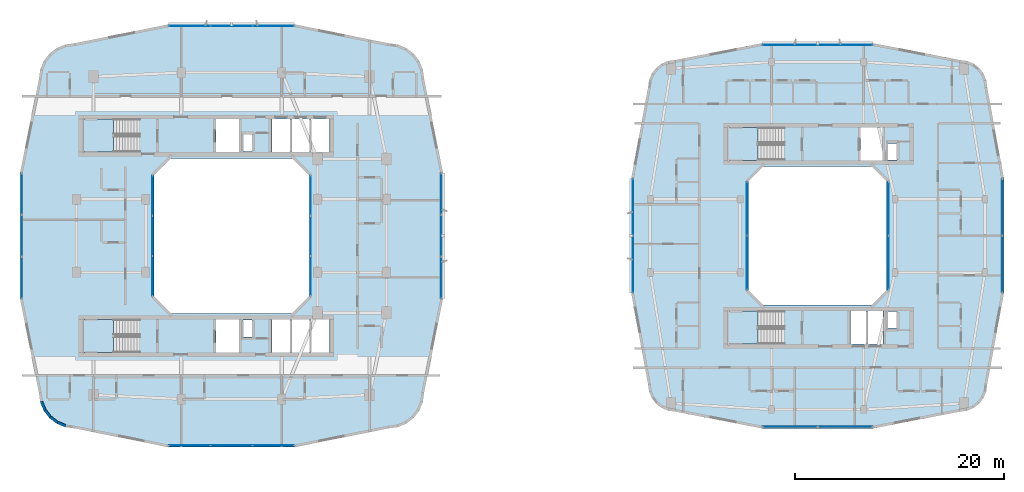
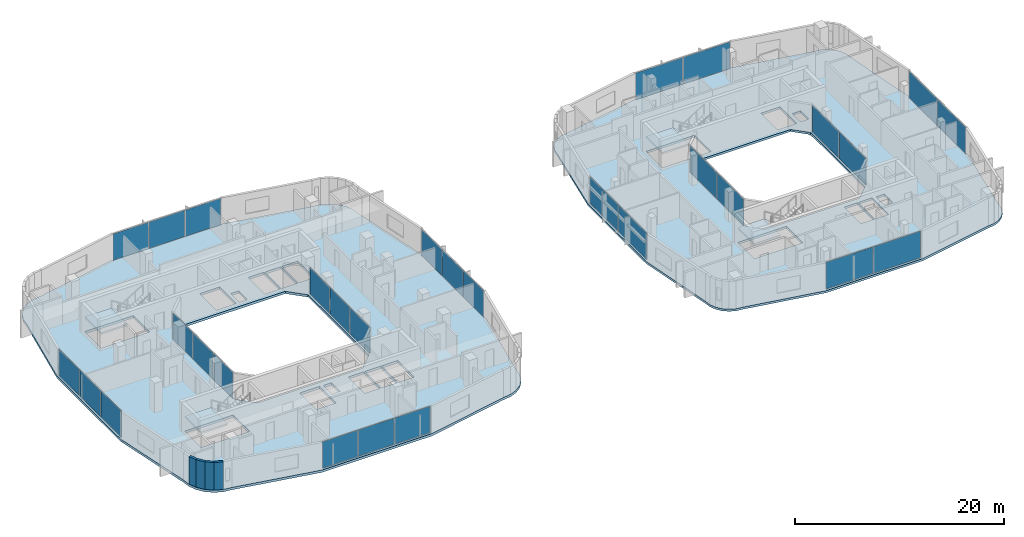
# One storey, part 11 of 26: 30 plates, 6 slabs, 4 walls, 16 elements without a shape of their own.
"""IFC4 building model written with IfcOpenShell, lengths in metres."""

from ifc_helpers import new_model, si_unit, derived_unit, direction, frame, frame_2d, origin, origin_2d, place, context, subcontext, project, spatial, polyline, rectangle, outline, extrude, material, layer, layer_set, type_object, element, aggregate, save


model = new_model("IFC4")

# Units and contexts
model_context = context("Model", 3, precision=1e-05, world=origin(), true_north=direction((0.0, 1.0)))
body_context = subcontext(model_context, "Body", "Model", "MODEL_VIEW")
ifc_project = project(units=[si_unit("LENGTHUNIT", "METRE"), si_unit("AREAUNIT", "SQUARE_METRE"), si_unit("VOLUMEUNIT", "CUBIC_METRE"), si_unit("PLANEANGLEUNIT", "RADIAN"), si_unit("MASSUNIT", "GRAM", prefix="KILO"), derived_unit("THERMALTRANSMITTANCEUNIT", [(si_unit("POWERUNIT", "WATT"), 1), (si_unit("LENGTHUNIT", "METRE"), -2), (si_unit("THERMODYNAMICTEMPERATUREUNIT", "KELVIN"), -1)])], contexts=[model_context])

# Site, building, storey
site_placement = place(None, origin())
site = spatial("IfcSite", under=ifc_project, at=site_placement, CompositionType="ELEMENT")
building_placement = place(site_placement, origin())
building = spatial("IfcBuilding", under=site, at=building_placement, Name="Kivonza Crest Hotel", CompositionType="ELEMENT")
storey_placement = place(building_placement, frame((0.0, 0.0, 98.5)))
storey = spatial("IfcBuildingStorey", under=building, at=storey_placement, Name="L26", CompositionType="ELEMENT", Elevation=98.5)

# Curtain wall, plates
ifc_material_1 = material(Name="Anodised bronze aluminium and low-E double glazing", Category="aluminium")
ifc_layer_1 = layer(ifc_material_1, 0.179931640625)
ifc_layer_set_1 = layer_set([ifc_layer_1], Name="Anodised bronze aluminium and low-E double glazing")
curtain_wall_type_1 = type_object("IfcCurtainWallType", Name="CW-SYS-2", PredefinedType="NOTDEFINED", material=ifc_layer_set_1)
curtain_wall_1_placement = place(storey_placement, origin())
curtain_wall_1 = element("IfcCurtainWall", 1, at=curtain_wall_1_placement, inside=storey, type_object=curtain_wall_type_1, Name="L26 unitised curtain wall CW-T1-L26-08", PredefinedType="NOTDEFINED")
ifc_material_2 = material(Name="Solar-control low-E double glazing", Category="glass")
ifc_layer_2 = layer(ifc_material_2, 0.028076171875)
ifc_layer_set_2 = layer_set([ifc_layer_2], Name="Solar-control low-E double glazing")
plate_type = type_object("IfcPlateType", Name="CW-PNL-28", PredefinedType="CURTAIN_PANEL", material=ifc_layer_set_2)
plate_1_placement = place(storey_placement, frame((17.0029296875, 4.9599609375, 0.06494140625), z_axis=(0.0, 0.0, 1.0), x_axis=(1.0, 0.0, 0.0)))
plate_1 = element("IfcPlate", 2, at=plate_1_placement, type_object=plate_type, Name="CW-2 panel 1.1", PredefinedType="CURTAIN_PANEL", context=body_context, shape_type="SweptSolid", body=[
    extrude(rectangle(XDim=3.915771484375, YDim=0.028076171875, at=origin_2d()), origin(), (0.0, 0.0, 1.0), 3.090087890625),
])
plate_2_placement = place(storey_placement, frame((21.0, 4.9599609375, 0.06494140625), z_axis=(0.0, 0.0, 1.0), x_axis=(1.0, 0.0, 0.0)))
plate_2 = element("IfcPlate", 3, at=plate_2_placement, type_object=plate_type, Name="CW-2 panel 2.1", PredefinedType="CURTAIN_PANEL", context=body_context, shape_type="SweptSolid", body=[
    extrude(rectangle(XDim=3.9482421875, YDim=0.028076171875, at=origin_2d()), origin(), (0.0, 0.0, 1.0), 3.090087890625),
])
plate_3_placement = place(storey_placement, frame((24.9970703125, 4.9599609375, 0.06494140625), z_axis=(0.0, 0.0, 1.0), x_axis=(1.0, 0.0, 0.0)))
plate_3 = element("IfcPlate", 4, at=plate_3_placement, type_object=plate_type, Name="CW-2 panel 3.1", PredefinedType="CURTAIN_PANEL", context=body_context, shape_type="SweptSolid", body=[
    extrude(rectangle(XDim=3.915771484375, YDim=0.028076171875, at=origin_2d()), origin(), (0.0, 0.0, 1.0), 3.090087890625),
])
aggregate(curtain_wall_1, [plate_1, plate_2, plate_3])

curtain_wall_2_placement = place(storey_placement, origin())
curtain_wall_2 = element("IfcCurtainWall", 5, at=curtain_wall_2_placement, inside=storey, type_object=curtain_wall_type_1, Name="L26 unitised curtain wall CW-T1-L26-17", PredefinedType="NOTDEFINED")
plate_4_placement = place(storey_placement, frame((41.0400390625, 21.0029296875, 0.06494140625), z_axis=(0.0, 0.0, 1.0), x_axis=(0.0, 1.0, 0.0)))
plate_4 = element("IfcPlate", 6, at=plate_4_placement, type_object=plate_type, Name="CW-2 panel 1.1", PredefinedType="CURTAIN_PANEL", context=body_context, shape_type="SweptSolid", body=[
    extrude(rectangle(XDim=3.915771484375, YDim=0.028076171875, at=origin_2d()), origin(), (0.0, 0.0, 1.0), 3.090087890625),
])
plate_5_placement = place(storey_placement, frame((41.0400390625, 25.0, 0.06494140625), z_axis=(0.0, 0.0, 1.0), x_axis=(0.0, 1.0, 0.0)))
plate_5 = element("IfcPlate", 7, at=plate_5_placement, type_object=plate_type, Name="CW-2 panel 2.1", PredefinedType="CURTAIN_PANEL", context=body_context, shape_type="SweptSolid", body=[
    extrude(rectangle(XDim=3.9482421875, YDim=0.028076171875, at=origin_2d()), origin(), (0.0, 0.0, 1.0), 3.090087890625),
])
plate_6_placement = place(storey_placement, frame((41.0400390625, 28.9970703125, 0.06494140625), z_axis=(0.0, 0.0, 1.0), x_axis=(0.0, 1.0, 0.0)))
plate_6 = element("IfcPlate", 8, at=plate_6_placement, type_object=plate_type, Name="CW-2 panel 3.1", PredefinedType="CURTAIN_PANEL", context=body_context, shape_type="SweptSolid", body=[
    extrude(rectangle(XDim=3.915771484375, YDim=0.028076171875, at=origin_2d()), origin(), (0.0, 0.0, 1.0), 3.090087890625),
])
aggregate(curtain_wall_2, [plate_4, plate_5, plate_6])

curtain_wall_3_placement = place(storey_placement, origin())
curtain_wall_3 = element("IfcCurtainWall", 9, at=curtain_wall_3_placement, inside=storey, type_object=curtain_wall_type_1, Name="L26 unitised curtain wall CW-T1-L26-26", PredefinedType="NOTDEFINED")
plate_7_placement = place(storey_placement, frame((24.9970703125, 45.0400390625, 0.06494140625), z_axis=(0.0, 0.0, 1.0), x_axis=(-1.0, 0.0, 0.0)))
plate_7 = element("IfcPlate", 10, at=plate_7_placement, type_object=plate_type, Name="CW-2 panel 1.1", PredefinedType="CURTAIN_PANEL", context=body_context, shape_type="SweptSolid", body=[
    extrude(rectangle(XDim=3.915771484375, YDim=0.028076171875, at=origin_2d()), origin(), (0.0, 0.0, 1.0), 3.090087890625),
])
plate_8_placement = place(storey_placement, frame((21.0, 45.0400390625, 0.06494140625), z_axis=(0.0, 0.0, 1.0), x_axis=(-1.0, 0.0, 0.0)))
plate_8 = element("IfcPlate", 11, at=plate_8_placement, type_object=plate_type, Name="CW-2 panel 2.1", PredefinedType="CURTAIN_PANEL", context=body_context, shape_type="SweptSolid", body=[
    extrude(rectangle(XDim=3.9482421875, YDim=0.028076171875, at=origin_2d()), origin(), (0.0, 0.0, 1.0), 3.090087890625),
])
plate_9_placement = place(storey_placement, frame((17.0029296875, 45.0400390625, 0.06494140625), z_axis=(0.0, 0.0, 1.0), x_axis=(-1.0, 0.0, 0.0)))
plate_9 = element("IfcPlate", 12, at=plate_9_placement, type_object=plate_type, Name="CW-2 panel 3.1", PredefinedType="CURTAIN_PANEL", context=body_context, shape_type="SweptSolid", body=[
    extrude(rectangle(XDim=3.915771484375, YDim=0.028076171875, at=origin_2d()), origin(), (0.0, 0.0, 1.0), 3.090087890625),
])
aggregate(curtain_wall_3, [plate_7, plate_8, plate_9])

curtain_wall_4_placement = place(storey_placement, origin())
curtain_wall_4 = element("IfcCurtainWall", 13, at=curtain_wall_4_placement, inside=storey, type_object=curtain_wall_type_1, Name="L26 unitised curtain wall CW-T1-L26-35", PredefinedType="NOTDEFINED")
plate_10_placement = place(storey_placement, frame((0.9599609375, 28.9970703125, 0.06494140625), z_axis=(0.0, 0.0, 1.0), x_axis=(0.0, -1.0, 0.0)))
plate_10 = element("IfcPlate", 14, at=plate_10_placement, type_object=plate_type, Name="CW-2 panel 1.1", PredefinedType="CURTAIN_PANEL", context=body_context, shape_type="SweptSolid", body=[
    extrude(rectangle(XDim=3.915771484375, YDim=0.028076171875, at=origin_2d()), origin(), (0.0, 0.0, 1.0), 3.090087890625),
])
plate_11_placement = place(storey_placement, frame((0.9599609375, 25.0, 0.06494140625), z_axis=(0.0, 0.0, 1.0), x_axis=(0.0, -1.0, 0.0)))
plate_11 = element("IfcPlate", 15, at=plate_11_placement, type_object=plate_type, Name="CW-2 panel 2.1", PredefinedType="CURTAIN_PANEL", context=body_context, shape_type="SweptSolid", body=[
    extrude(rectangle(XDim=3.9482421875, YDim=0.028076171875, at=origin_2d()), origin(), (0.0, 0.0, 1.0), 3.090087890625),
])
plate_12_placement = place(storey_placement, frame((0.9599609375, 21.0029296875, 0.06494140625), z_axis=(0.0, 0.0, 1.0), x_axis=(0.0, -1.0, 0.0)))
plate_12 = element("IfcPlate", 16, at=plate_12_placement, type_object=plate_type, Name="CW-2 panel 3.1", PredefinedType="CURTAIN_PANEL", context=body_context, shape_type="SweptSolid", body=[
    extrude(rectangle(XDim=3.915771484375, YDim=0.028076171875, at=origin_2d()), origin(), (0.0, 0.0, 1.0), 3.090087890625),
])
aggregate(curtain_wall_4, [plate_10, plate_11, plate_12])

ifc_layer_3 = layer(ifc_material_1, 0.159912109375)
ifc_layer_set_3 = layer_set([ifc_layer_3], Name="Anodised bronze aluminium and low-E double glazing")
curtain_wall_type_2 = type_object("IfcCurtainWallType", Name="CW-SYS-5", PredefinedType="NOTDEFINED", material=ifc_layer_set_3)
curtain_wall_5_placement = place(storey_placement, origin())
curtain_wall_5 = element("IfcCurtainWall", 17, at=curtain_wall_5_placement, inside=storey, type_object=curtain_wall_type_2, Name="L26 unitised curtain wall CW-WELL-T1-L26-3", PredefinedType="NOTDEFINED")
plate_13_placement = place(storey_placement, frame((28.56005859375, 21.149658203125, 0.06494140625), z_axis=(0.0, 0.0, 1.0), x_axis=(0.0, 1.0, 0.0)))
plate_13 = element("IfcPlate", 18, at=plate_13_placement, type_object=plate_type, Name="CW-5 panel 1.1", PredefinedType="CURTAIN_PANEL", context=body_context, shape_type="SweptSolid", body=[
    extrude(rectangle(XDim=3.769287109375, YDim=0.028076171875, at=origin_2d()), origin(), (0.0, 0.0, 1.0), 3.090087890625),
])
plate_14_placement = place(storey_placement, frame((28.56005859375, 25.0, 0.06494140625), z_axis=(0.0, 0.0, 1.0), x_axis=(0.0, 1.0, 0.0)))
plate_14 = element("IfcPlate", 19, at=plate_14_placement, type_object=plate_type, Name="CW-5 panel 2.1", PredefinedType="CURTAIN_PANEL", context=body_context, shape_type="SweptSolid", body=[
    extrude(rectangle(XDim=3.8017578125, YDim=0.028076171875, at=origin_2d()), origin(), (0.0, 0.0, 1.0), 3.090087890625),
])
plate_15_placement = place(storey_placement, frame((28.56005859375, 28.850341796875, 0.06494140625), z_axis=(0.0, 0.0, 1.0), x_axis=(0.0, 1.0, 0.0)))
plate_15 = element("IfcPlate", 20, at=plate_15_placement, type_object=plate_type, Name="CW-5 panel 3.1", PredefinedType="CURTAIN_PANEL", context=body_context, shape_type="SweptSolid", body=[
    extrude(rectangle(XDim=3.769287109375, YDim=0.028076171875, at=origin_2d()), origin(), (0.0, 0.0, 1.0), 3.090087890625),
])
aggregate(curtain_wall_5, [plate_13, plate_14, plate_15])

curtain_wall_6_placement = place(storey_placement, origin())
curtain_wall_6 = element("IfcCurtainWall", 21, at=curtain_wall_6_placement, inside=storey, type_object=curtain_wall_type_2, Name="L26 unitised curtain wall CW-WELL-T1-L26-7", PredefinedType="NOTDEFINED")
plate_16_placement = place(storey_placement, frame((13.43994140625, 28.850341796875, 0.06494140625), z_axis=(0.0, 0.0, 1.0), x_axis=(0.0, -1.0, 0.0)))
plate_16 = element("IfcPlate", 22, at=plate_16_placement, type_object=plate_type, Name="CW-5 panel 1.1", PredefinedType="CURTAIN_PANEL", context=body_context, shape_type="SweptSolid", body=[
    extrude(rectangle(XDim=3.769287109375, YDim=0.028076171875, at=origin_2d()), origin(), (0.0, 0.0, 1.0), 3.090087890625),
])
plate_17_placement = place(storey_placement, frame((13.43994140625, 25.0, 0.06494140625), z_axis=(0.0, 0.0, 1.0), x_axis=(0.0, -1.0, 0.0)))
plate_17 = element("IfcPlate", 23, at=plate_17_placement, type_object=plate_type, Name="CW-5 panel 2.1", PredefinedType="CURTAIN_PANEL", context=body_context, shape_type="SweptSolid", body=[
    extrude(rectangle(XDim=3.8017578125, YDim=0.028076171875, at=origin_2d()), origin(), (0.0, 0.0, 1.0), 3.090087890625),
])
plate_18_placement = place(storey_placement, frame((13.43994140625, 21.149658203125, 0.06494140625), z_axis=(0.0, 0.0, 1.0), x_axis=(0.0, -1.0, 0.0)))
plate_18 = element("IfcPlate", 24, at=plate_18_placement, type_object=plate_type, Name="CW-5 panel 3.1", PredefinedType="CURTAIN_PANEL", context=body_context, shape_type="SweptSolid", body=[
    extrude(rectangle(XDim=3.769287109375, YDim=0.028076171875, at=origin_2d()), origin(), (0.0, 0.0, 1.0), 3.090087890625),
])
aggregate(curtain_wall_6, [plate_16, plate_17, plate_18])

ifc_layer_4 = layer(ifc_material_1, 0.179931640625)
ifc_layer_set_4 = layer_set([ifc_layer_4], Name="Anodised bronze aluminium and low-E double glazing")
curtain_wall_type_3 = type_object("IfcCurtainWallType", Name="CW-SYS-4", PredefinedType="NOTDEFINED", material=ifc_layer_set_4)
curtain_wall_7_placement = place(storey_placement, origin())
curtain_wall_7 = element("IfcCurtainWall", 25, at=curtain_wall_7_placement, inside=storey, type_object=curtain_wall_type_3, Name="L26 unitised curtain wall CW-T2-L26-08", PredefinedType="NOTDEFINED")
plate_19_placement = place(storey_placement, frame((74.3662109375, 6.760009765625, 0.06494140625), z_axis=(0.0, 0.0, 1.0), x_axis=(1.0, 0.0, 0.0)))
plate_19 = element("IfcPlate", 26, at=plate_19_placement, type_object=plate_type, Name="CW-4 panel 1.1", PredefinedType="CURTAIN_PANEL", context=body_context, shape_type="SweptSolid", body=[
    extrude(rectangle(XDim=5.202392578125, YDim=0.028076171875, at=origin_2d()), origin(), (0.0, 0.0, 1.0), 3.1201171875),
])
plate_20_placement = place(storey_placement, frame((79.6337890625, 6.760009765625, 0.06494140625), z_axis=(0.0, 0.0, 1.0), x_axis=(1.0, 0.0, 0.0)))
plate_20 = element("IfcPlate", 27, at=plate_20_placement, type_object=plate_type, Name="CW-4 panel 2.1", PredefinedType="CURTAIN_PANEL", context=body_context, shape_type="SweptSolid", body=[
    extrude(rectangle(XDim=5.202392578125, YDim=0.028076171875, at=origin_2d()), origin(), (0.0, 0.0, 1.0), 3.1201171875),
])
aggregate(curtain_wall_7, [plate_19, plate_20])

curtain_wall_8_placement = place(storey_placement, origin())
curtain_wall_8 = element("IfcCurtainWall", 28, at=curtain_wall_8_placement, inside=storey, type_object=curtain_wall_type_3, Name="L26 unitised curtain wall CW-T2-L26-17", PredefinedType="NOTDEFINED")
plate_21_placement = place(storey_placement, frame((94.639892578125, 22.2763671875, 0.06494140625), z_axis=(0.0, 0.0, 1.0), x_axis=(0.0, 1.0, 0.0)))
plate_21 = element("IfcPlate", 29, at=plate_21_placement, type_object=plate_type, Name="CW-4 panel 1.1", PredefinedType="CURTAIN_PANEL", context=body_context, shape_type="SweptSolid", body=[
    extrude(rectangle(XDim=5.382568359375, YDim=0.028076171875, at=origin_2d()), origin(), (0.0, 0.0, 1.0), 3.1201171875),
])
plate_22_placement = place(storey_placement, frame((94.639892578125, 27.7236328125, 0.06494140625), z_axis=(0.0, 0.0, 1.0), x_axis=(0.0, 1.0, 0.0)))
plate_22 = element("IfcPlate", 30, at=plate_22_placement, type_object=plate_type, Name="CW-4 panel 2.1", PredefinedType="CURTAIN_PANEL", context=body_context, shape_type="SweptSolid", body=[
    extrude(rectangle(XDim=5.382568359375, YDim=0.028076171875, at=origin_2d()), origin(), (0.0, 0.0, 1.0), 3.1201171875),
])
aggregate(curtain_wall_8, [plate_21, plate_22])

curtain_wall_9_placement = place(storey_placement, origin())
curtain_wall_9 = element("IfcCurtainWall", 31, at=curtain_wall_9_placement, inside=storey, type_object=curtain_wall_type_3, Name="L26 unitised curtain wall CW-T2-L26-26", PredefinedType="NOTDEFINED")
plate_23_placement = place(storey_placement, frame((79.6337890625, 43.239990234375, 0.06494140625), z_axis=(0.0, 0.0, 1.0), x_axis=(-1.0, 0.0, 0.0)))
plate_23 = element("IfcPlate", 32, at=plate_23_placement, type_object=plate_type, Name="CW-4 panel 1.1", PredefinedType="CURTAIN_PANEL", context=body_context, shape_type="SweptSolid", body=[
    extrude(rectangle(XDim=5.202392578125, YDim=0.028076171875, at=origin_2d()), origin(), (0.0, 0.0, 1.0), 3.1201171875),
])
plate_24_placement = place(storey_placement, frame((74.3662109375, 43.239990234375, 0.06494140625), z_axis=(0.0, 0.0, 1.0), x_axis=(-1.0, 0.0, 0.0)))
plate_24 = element("IfcPlate", 33, at=plate_24_placement, type_object=plate_type, Name="CW-4 panel 2.1", PredefinedType="CURTAIN_PANEL", context=body_context, shape_type="SweptSolid", body=[
    extrude(rectangle(XDim=5.202392578125, YDim=0.028076171875, at=origin_2d()), origin(), (0.0, 0.0, 1.0), 3.1201171875),
])
aggregate(curtain_wall_9, [plate_23, plate_24])

curtain_wall_10_placement = place(storey_placement, origin())
curtain_wall_10 = element("IfcCurtainWall", 34, at=curtain_wall_10_placement, inside=storey, type_object=curtain_wall_type_3, Name="L26 unitised curtain wall CW-T2-L26-35", PredefinedType="NOTDEFINED")
plate_25_placement = place(storey_placement, frame((59.360107421875, 27.7236328125, 0.06494140625), z_axis=(0.0, 0.0, 1.0), x_axis=(0.0, -1.0, 0.0)))
plate_25 = element("IfcPlate", 35, at=plate_25_placement, type_object=plate_type, Name="CW-4 panel 1.1", PredefinedType="CURTAIN_PANEL", context=body_context, shape_type="SweptSolid", body=[
    extrude(rectangle(XDim=5.382568359375, YDim=0.028076171875, at=origin_2d()), origin(), (0.0, 0.0, 1.0), 3.1201171875),
])
plate_26_placement = place(storey_placement, frame((59.360107421875, 22.2763671875, 0.06494140625), z_axis=(0.0, 0.0, 1.0), x_axis=(0.0, -1.0, 0.0)))
plate_26 = element("IfcPlate", 36, at=plate_26_placement, type_object=plate_type, Name="CW-4 panel 2.1", PredefinedType="CURTAIN_PANEL", context=body_context, shape_type="SweptSolid", body=[
    extrude(rectangle(XDim=5.382568359375, YDim=0.028076171875, at=origin_2d()), origin(), (0.0, 0.0, 1.0), 3.1201171875),
])
aggregate(curtain_wall_10, [plate_25, plate_26])

curtain_wall_11_placement = place(storey_placement, origin())
curtain_wall_11 = element("IfcCurtainWall", 37, at=curtain_wall_11_placement, inside=storey, type_object=curtain_wall_type_2, Name="L26 unitised curtain wall CW-WELL-T2-L26-3", PredefinedType="NOTDEFINED")
plate_27_placement = place(storey_placement, frame((83.760009765625, 22.416259765625, 0.06494140625), z_axis=(0.0, 0.0, 1.0), x_axis=(0.0, 1.0, 0.0)))
plate_27 = element("IfcPlate", 38, at=plate_27_placement, type_object=plate_type, Name="CW-5 panel 1.1", PredefinedType="CURTAIN_PANEL", context=body_context, shape_type="SweptSolid", body=[
    extrude(rectangle(XDim=5.1025390625, YDim=0.028076171875, at=origin_2d()), origin(), (0.0, 0.0, 1.0), 3.1201171875),
])
plate_28_placement = place(storey_placement, frame((83.760009765625, 27.583740234375, 0.06494140625), z_axis=(0.0, 0.0, 1.0), x_axis=(0.0, 1.0, 0.0)))
plate_28 = element("IfcPlate", 39, at=plate_28_placement, type_object=plate_type, Name="CW-5 panel 2.1", PredefinedType="CURTAIN_PANEL", context=body_context, shape_type="SweptSolid", body=[
    extrude(rectangle(XDim=5.1025390625, YDim=0.028076171875, at=origin_2d()), origin(), (0.0, 0.0, 1.0), 3.1201171875),
])
aggregate(curtain_wall_11, [plate_27, plate_28])

curtain_wall_12_placement = place(storey_placement, origin())
curtain_wall_12 = element("IfcCurtainWall", 40, at=curtain_wall_12_placement, inside=storey, type_object=curtain_wall_type_2, Name="L26 unitised curtain wall CW-WELL-T2-L26-7", PredefinedType="NOTDEFINED")
plate_29_placement = place(storey_placement, frame((70.239990234375, 27.583740234375, 0.06494140625), z_axis=(0.0, 0.0, 1.0), x_axis=(0.0, -1.0, 0.0)))
plate_29 = element("IfcPlate", 41, at=plate_29_placement, type_object=plate_type, Name="CW-5 panel 1.1", PredefinedType="CURTAIN_PANEL", context=body_context, shape_type="SweptSolid", body=[
    extrude(rectangle(XDim=5.1025390625, YDim=0.028076171875, at=origin_2d()), origin(), (0.0, 0.0, 1.0), 3.1201171875),
])
plate_30_placement = place(storey_placement, frame((70.239990234375, 22.416259765625, 0.06494140625), z_axis=(0.0, 0.0, 1.0), x_axis=(0.0, -1.0, 0.0)))
plate_30 = element("IfcPlate", 42, at=plate_30_placement, type_object=plate_type, Name="CW-5 panel 2.1", PredefinedType="CURTAIN_PANEL", context=body_context, shape_type="SweptSolid", body=[
    extrude(rectangle(XDim=5.1025390625, YDim=0.028076171875, at=origin_2d()), origin(), (0.0, 0.0, 1.0), 3.1201171875),
])
aggregate(curtain_wall_12, [plate_29, plate_30])

# Slab
ifc_material_3 = material(Name="Concrete C40/50", Category="concrete")
ifc_layer_5 = layer(ifc_material_3, 0.280029296875)
ifc_layer_set_5 = layer_set([ifc_layer_5], Name="Concrete C40/50")
slab_type_1 = type_object("IfcSlabType", Name="SL-HTL-280", PredefinedType="FLOOR", material=ifc_layer_set_5)
slab_1_placement = place(storey_placement, frame((0.0, 0.0, -0.280029296875)))
element("IfcSlab", 43, at=slab_1_placement, inside=storey, type_object=slab_type_1, Name="Tower T1 L26 floor slab", PredefinedType="FLOOR", context=body_context, shape_type="SweptSolid", body=[
    extrude(outline(polyline([(2.60009765625, 10.0), (2.716064453125, 9.1201171875), (3.055908203125, 8.300048828125), (3.595947265625, 7.595947265625), (4.300048828125, 7.055908203125), (5.1201171875, 6.716064453125), (6.0, 6.60009765625), (14.93994140625, 4.800048828125), (27.06005859375, 4.800048828125), (36.0, 6.60009765625), (36.8798828125, 6.716064453125), (37.699951171875, 7.055908203125), (38.404052734375, 7.595947265625), (38.944091796875, 8.300048828125), (39.283935546875, 9.1201171875), (39.39990234375, 10.0), (41.199951171875, 18.93994140625), (41.199951171875, 31.06005859375), (39.39990234375, 40.0), (39.283935546875, 40.8798828125), (38.944091796875, 41.699951171875), (38.404052734375, 42.404052734375), (37.699951171875, 42.944091796875), (36.8798828125, 43.283935546875), (36.0, 43.39990234375), (27.06005859375, 45.199951171875), (14.93994140625, 45.199951171875), (6.0, 43.39990234375), (5.1201171875, 43.283935546875), (4.300048828125, 42.944091796875), (3.595947265625, 42.404052734375), (3.055908203125, 41.699951171875), (2.716064453125, 40.8798828125), (2.60009765625, 40.0), (0.800048828125, 31.06005859375), (0.800048828125, 18.93994140625), (2.60009765625, 10.0)]), holes=[polyline([(15.199951171875, 17.60009765625), (26.800048828125, 17.60009765625), (28.39990234375, 19.199951171875), (28.39990234375, 30.800048828125), (26.800048828125, 32.39990234375), (15.199951171875, 32.39990234375), (13.60009765625, 30.800048828125), (13.60009765625, 19.199951171875), (15.199951171875, 17.60009765625)]), polyline([(6.800048828125, 33.02001953125), (12.159912109375, 33.02001953125), (12.159912109375, 36.159912109375), (6.800048828125, 36.159912109375), (6.800048828125, 33.02001953125)]), polyline([(6.800048828125, 13.860107421875), (12.159912109375, 13.860107421875), (12.159912109375, 17.0), (6.800048828125, 17.0), (6.800048828125, 13.860107421875)]), polyline([(22.080078125, 33.0400390625), (22.969970703125, 33.0400390625), (22.969970703125, 34.679931640625), (22.080078125, 34.679931640625), (22.080078125, 33.0400390625)]), polyline([(22.080078125, 15.320068359375), (22.969970703125, 15.320068359375), (22.969970703125, 16.9599609375), (22.080078125, 16.9599609375), (22.080078125, 15.320068359375)]), polyline([(19.5, 33.0), (21.699951171875, 33.0), (21.699951171875, 36.159912109375), (19.5, 36.159912109375), (19.5, 33.0)]), polyline([(24.860107421875, 33.0), (26.60693359375, 33.0), (26.60693359375, 36.159912109375), (24.860107421875, 36.159912109375), (24.860107421875, 33.0)]), polyline([(26.72705078125, 33.0), (28.472900390625, 33.0), (28.472900390625, 36.159912109375), (26.72705078125, 36.159912109375), (26.72705078125, 33.0)]), polyline([(28.593017578125, 33.0), (30.340087890625, 33.0), (30.340087890625, 36.159912109375), (28.593017578125, 36.159912109375), (28.593017578125, 33.0)]), polyline([(19.5, 13.840087890625), (21.699951171875, 13.840087890625), (21.699951171875, 17.0), (19.5, 17.0), (19.5, 13.840087890625)]), polyline([(24.860107421875, 13.840087890625), (26.60693359375, 13.840087890625), (26.60693359375, 17.0), (24.860107421875, 17.0), (24.860107421875, 13.840087890625)]), polyline([(26.72705078125, 13.840087890625), (28.472900390625, 13.840087890625), (28.472900390625, 17.0), (26.72705078125, 17.0), (26.72705078125, 13.840087890625)]), polyline([(28.593017578125, 13.840087890625), (30.340087890625, 13.840087890625), (30.340087890625, 17.0), (28.593017578125, 17.0), (28.593017578125, 13.840087890625)])]), origin(), (0.0, 0.0, 1.0), 0.280029296875),
])

# Stair, slab
stair_type = type_object("IfcStairType", Name="ST-DL-20R", PredefinedType="HALF_TURN_STAIR", material=ifc_material_3)
stair_1_placement = place(storey_placement, origin())
stair_1 = element("IfcStair", 44, at=stair_1_placement, inside=storey, type_object=stair_type, Name="L26 Protected Exit Stair ST-T1-N", PredefinedType="HALF_TURN_STAIR")
ifc_layer_6 = layer(ifc_material_3, 0.199951171875)
ifc_layer_set_6 = layer_set([ifc_layer_6], Name="Concrete C40/50")
slab_type_2 = type_object("IfcSlabType", Name="SL-LAND-200", PredefinedType="LANDING", material=ifc_layer_set_6)
slab_2_placement = place(storey_placement, frame((0.0, 0.0, 1.550048828125)))
slab_2 = element("IfcSlab", 45, at=slab_2_placement, type_object=slab_type_2, Name="ST-T1-N landing 1", PredefinedType="LANDING", context=body_context, shape_type="SweptSolid", body=[
    extrude(outline(polyline([(9.719970703125, 36.159912109375), (6.800048828125, 36.159912109375), (6.800048828125, 33.02001953125), (9.719970703125, 33.02001953125), (9.719970703125, 36.159912109375)])), origin(), (0.0, 0.0, 1.0), 0.199951171875),
])
aggregate(stair_1, [slab_2])

stair_2_placement = place(storey_placement, origin())
stair_2 = element("IfcStair", 46, at=stair_2_placement, inside=storey, type_object=stair_type, Name="L26 Protected Exit Stair ST-T1-S", PredefinedType="HALF_TURN_STAIR")
slab_3_placement = place(storey_placement, frame((0.0, 0.0, 1.550048828125)))
slab_3 = element("IfcSlab", 47, at=slab_3_placement, type_object=slab_type_2, Name="ST-T1-S landing 1", PredefinedType="LANDING", context=body_context, shape_type="SweptSolid", body=[
    extrude(outline(polyline([(9.719970703125, 17.0), (6.800048828125, 17.0), (6.800048828125, 13.860107421875), (9.719970703125, 13.860107421875), (9.719970703125, 17.0)])), origin(), (0.0, 0.0, 1.0), 0.199951171875),
])
aggregate(stair_2, [slab_3])

stair_3_placement = place(storey_placement, origin())
stair_3 = element("IfcStair", 48, at=stair_3_placement, inside=storey, type_object=stair_type, Name="L26 Protected Exit Stair ST-T2-N", PredefinedType="HALF_TURN_STAIR")
slab_4_placement = place(storey_placement, frame((0.0, 0.0, 1.550048828125)))
slab_4 = element("IfcSlab", 49, at=slab_4_placement, type_object=slab_type_2, Name="ST-T2-N landing 1", PredefinedType="LANDING", context=body_context, shape_type="SweptSolid", body=[
    extrude(outline(polyline([(71.320068359375, 35.360107421875), (68.39990234375, 35.360107421875), (68.39990234375, 32.219970703125), (71.320068359375, 32.219970703125), (71.320068359375, 35.360107421875)])), origin(), (0.0, 0.0, 1.0), 0.199951171875),
])
aggregate(stair_3, [slab_4])

stair_4_placement = place(storey_placement, origin())
stair_4 = element("IfcStair", 50, at=stair_4_placement, inside=storey, type_object=stair_type, Name="L26 Protected Exit Stair ST-T2-S", PredefinedType="HALF_TURN_STAIR")
slab_5_placement = place(storey_placement, frame((0.0, 0.0, 1.550048828125)))
slab_5 = element("IfcSlab", 51, at=slab_5_placement, type_object=slab_type_2, Name="ST-T2-S landing 1", PredefinedType="LANDING", context=body_context, shape_type="SweptSolid", body=[
    extrude(outline(polyline([(71.320068359375, 17.800048828125), (68.39990234375, 17.800048828125), (68.39990234375, 14.659912109375), (71.320068359375, 14.659912109375), (71.320068359375, 17.800048828125)])), origin(), (0.0, 0.0, 1.0), 0.199951171875),
])
aggregate(stair_4, [slab_5])

# Slab
ifc_layer_7 = layer(ifc_material_3, 0.25)
ifc_layer_set_7 = layer_set([ifc_layer_7], Name="Concrete C40/50")
slab_type_3 = type_object("IfcSlabType", Name="SL-RES-250", PredefinedType="FLOOR", material=ifc_layer_set_7)
slab_6_placement = place(storey_placement, frame((0.0, 0.0, -0.25)))
element("IfcSlab", 52, at=slab_6_placement, inside=storey, type_object=slab_type_3, Name="Companion Tower T2 L26 floor slab", PredefinedType="FLOOR", context=body_context, shape_type="SweptSolid", body=[
    extrude(outline(polyline([(60.800048828125, 10.800048828125), (60.888916015625, 10.126953125), (61.14794921875, 9.5), (61.56201171875, 8.9619140625), (62.10009765625, 8.548095703125), (62.72705078125, 8.2890625), (63.39990234375, 8.199951171875), (71.659912109375, 6.60009765625), (82.340087890625, 6.60009765625), (90.60009765625, 8.199951171875), (91.27294921875, 8.2890625), (91.89990234375, 8.548095703125), (92.43798828125, 8.9619140625), (92.85205078125, 9.5), (93.111083984375, 10.126953125), (93.199951171875, 10.800048828125), (94.800048828125, 19.47998046875), (94.800048828125, 30.52001953125), (93.199951171875, 39.199951171875), (93.111083984375, 39.873046875), (92.85205078125, 40.5), (92.43798828125, 41.0380859375), (91.89990234375, 41.451904296875), (91.27294921875, 41.7109375), (90.60009765625, 41.800048828125), (82.340087890625, 43.39990234375), (71.659912109375, 43.39990234375), (63.39990234375, 41.800048828125), (62.72705078125, 41.7109375), (62.10009765625, 41.451904296875), (61.56201171875, 41.0380859375), (61.14794921875, 40.5), (60.888916015625, 39.873046875), (60.800048828125, 39.199951171875), (59.199951171875, 30.52001953125), (59.199951171875, 19.47998046875), (60.800048828125, 10.800048828125)]), holes=[polyline([(71.800048828125, 18.39990234375), (82.199951171875, 18.39990234375), (83.60009765625, 19.800048828125), (83.60009765625, 30.199951171875), (82.199951171875, 31.60009765625), (71.800048828125, 31.60009765625), (70.39990234375, 30.199951171875), (70.39990234375, 19.800048828125), (71.800048828125, 18.39990234375)]), polyline([(68.39990234375, 32.219970703125), (73.760009765625, 32.219970703125), (73.760009765625, 35.360107421875), (68.39990234375, 35.360107421875), (68.39990234375, 32.219970703125)]), polyline([(68.39990234375, 14.659912109375), (73.760009765625, 14.659912109375), (73.760009765625, 17.800048828125), (68.39990234375, 17.800048828125), (68.39990234375, 14.659912109375)]), polyline([(83.679931640625, 32.239990234375), (84.570068359375, 32.239990234375), (84.570068359375, 33.820068359375), (83.679931640625, 33.820068359375), (83.679931640625, 32.239990234375)]), polyline([(83.679931640625, 16.179931640625), (84.570068359375, 16.179931640625), (84.570068359375, 17.760009765625), (83.679931640625, 17.760009765625), (83.679931640625, 16.179931640625)]), polyline([(81.10009765625, 32.199951171875), (83.199951171875, 32.199951171875), (83.199951171875, 35.360107421875), (81.10009765625, 35.360107421875), (81.10009765625, 32.199951171875)]), polyline([(80.159912109375, 14.639892578125), (81.639892578125, 14.639892578125), (81.639892578125, 17.800048828125), (80.159912109375, 17.800048828125), (80.159912109375, 14.639892578125)]), polyline([(81.760009765625, 14.639892578125), (83.239990234375, 14.639892578125), (83.239990234375, 17.800048828125), (81.760009765625, 17.800048828125), (81.760009765625, 14.639892578125)])]), origin(), (0.0, 0.0, 1.0), 0.25),
])

# Walls
ifc_material_4 = material(Name="Precast concrete C40/50", Category="concrete")
ifc_layer_8 = layer(ifc_material_4, 0.260009765625)
ifc_layer_set_8 = layer_set([ifc_layer_8], Name="Precast concrete C40/50")
wall_type = type_object("IfcWallType", Name="WL-EXT-260", PredefinedType="STANDARD", material=ifc_layer_set_8)
wall_1_placement = place(storey_placement, frame((2.825927734375, 9.193115234375, 0.0), z_axis=(0.0, 0.0, 1.0), x_axis=(0.383290660547, -0.923627776508, 0.0)))
element("IfcWall", 53, at=wall_1_placement, inside=storey, type_object=wall_type, Name="L26 T1 exterior insulated wall 2", PredefinedType="STANDARD", context=body_context, shape_type="SweptSolid", body=[
    extrude(rectangle(XDim=0.9033203125, YDim=0.260009765625, at=frame_2d((0.45166015625, 0.0))), origin(), (0.0, 0.0, 1.0), 3.219970703125),
])
wall_2_placement = place(storey_placement, frame((3.14404296875, 8.39892578125, 0.0), z_axis=(0.0, 0.0, 1.0), x_axis=(0.608624690463, -0.793458244748, 0.0)))
element("IfcWall", 54, at=wall_2_placement, inside=storey, type_object=wall_type, Name="L26 T1 exterior insulated wall 3", PredefinedType="STANDARD", context=body_context, shape_type="SweptSolid", body=[
    extrude(rectangle(XDim=0.902099609375, YDim=0.260009765625, at=frame_2d((0.451171875, 0.0))), origin(), (0.0, 0.0, 1.0), 3.219970703125),
])
wall_3_placement = place(storey_placement, frame((3.655029296875, 7.714111328125, 0.0), z_axis=(0.0, 0.0, 1.0), x_axis=(0.793558456666, -0.608494022858, 0.0)))
element("IfcWall", 55, at=wall_3_placement, inside=storey, type_object=wall_type, Name="L26 T1 exterior insulated wall 4", PredefinedType="STANDARD", context=body_context, shape_type="SweptSolid", body=[
    extrude(rectangle(XDim=0.90234375, YDim=0.260009765625, at=frame_2d((0.451171875, 0.0))), origin(), (0.0, 0.0, 1.0), 3.219970703125),
])
wall_4_placement = place(storey_placement, frame((4.326904296875, 7.18603515625, 0.0), z_axis=(0.0, 0.0, 1.0), x_axis=(0.923683767999, -0.383155708213, 0.0)))
element("IfcWall", 56, at=wall_4_placement, inside=storey, type_object=wall_type, Name="L26 T1 exterior insulated wall 5", PredefinedType="STANDARD", context=body_context, shape_type="SweptSolid", body=[
    extrude(rectangle(XDim=0.90283203125, YDim=0.260009765625, at=frame_2d((0.451416015625, 0.0))), origin(), (0.0, 0.0, 1.0), 3.219970703125),
])

save(model, "model.ifc")
